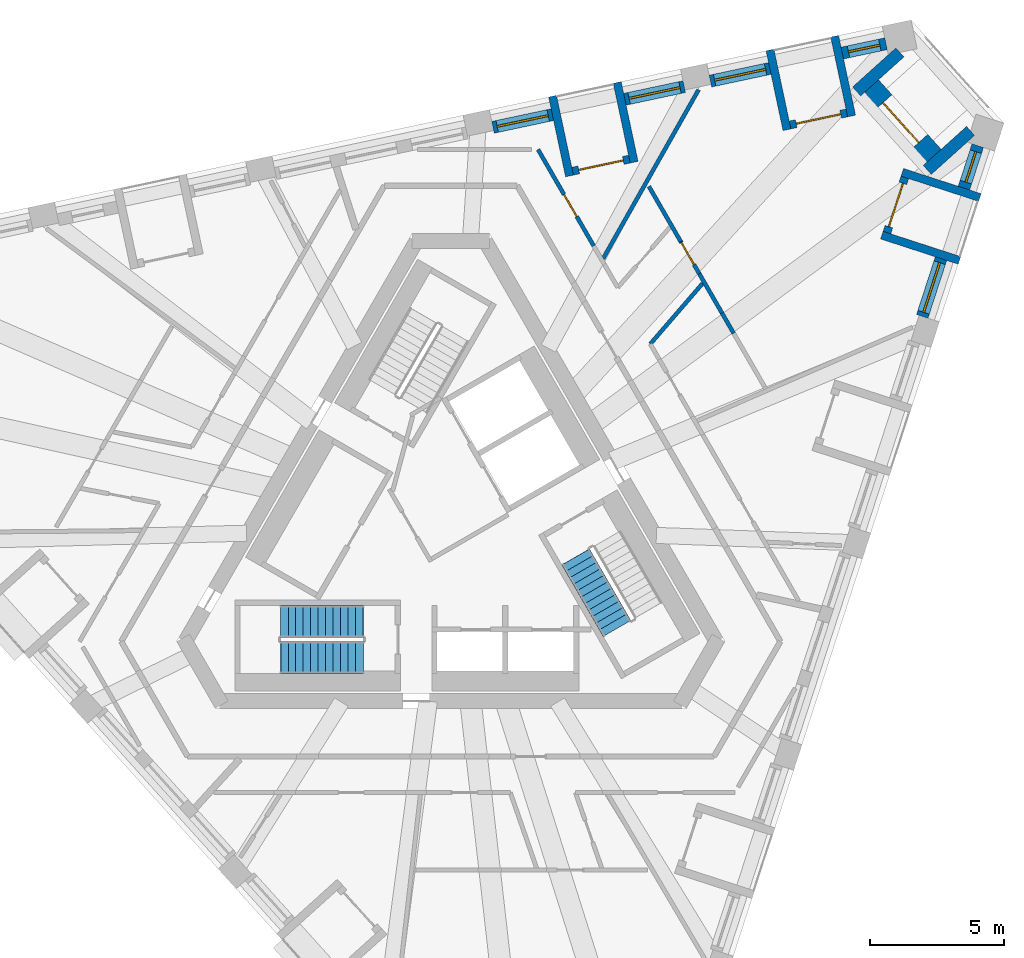
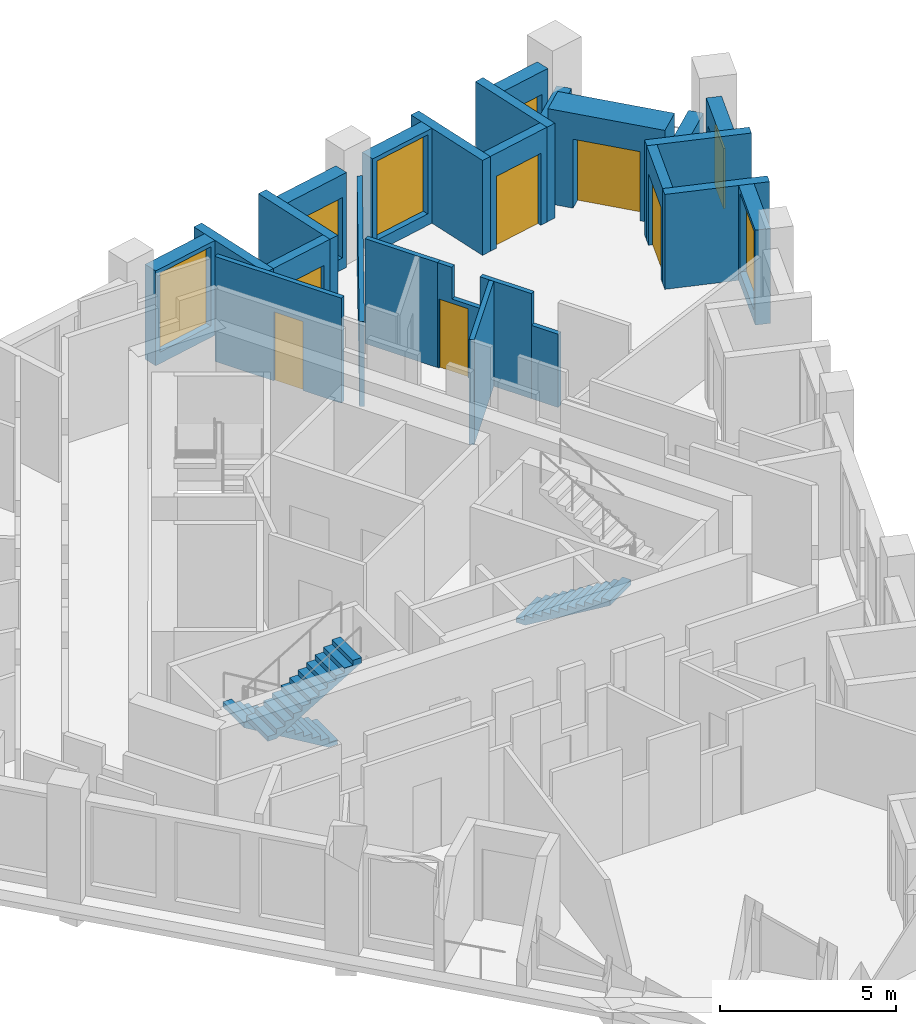
# One storey, part 8 of 13: 25 walls, 6 doors, 6 windows, 3 stair flights, 12 openings, 2 elements without a shape of their own.
"""IFC4 building model written with IfcOpenShell, lengths in metres."""

import ifcopenshell
import ifcopenshell.guid

model = None  # the IFC model being written
_history = None  # IfcOwnerHistory: only IFC2X3 demands one
_inside = {}  # id of a spatial element -> (the spatial element, [elements in it])
_under = {}  # id of a project, library or spatial element -> (it, [spatial elements below it])
_declared = {}  # id of a project -> (the project, [libraries it declares])
_typed = {}  # id of a type object -> (the type object, [elements of that type])
_made_of = {}  # id of a material, layer set ... -> (it, [elements and type objects made of it])


def new_model(schema):
    """Start an empty IFC model of exactly this schema.

    Asked for "IFC4X3", IfcOpenShell would pick the latest addendum, in which some entities
    have other attributes; the version numbers below select the first issue.
    IFC2X3 requires an IfcOwnerHistory on every rooted entity: one is made here for all.
    """
    global model, _history
    if schema == "IFC4X3":
        model = ifcopenshell.file(schema_version=(4, 3, 0, 0))
    else:
        model = ifcopenshell.file(schema=schema)
    _inside.clear()
    _under.clear()
    _declared.clear()
    _typed.clear()
    _made_of.clear()
    _history = None
    if model.schema == "IFC2X3":
        org = make("IfcOrganization", Name="unknown")
        user = make(
            "IfcPersonAndOrganization",
            ThePerson=make("IfcPerson", FamilyName="unknown"),
            TheOrganization=org,
        )
        app = make(
            "IfcApplication",
            ApplicationDeveloper=org,
            Version="unknown",
            ApplicationFullName="unknown",
            ApplicationIdentifier="unknown",
        )
        _history = make(
            "IfcOwnerHistory",
            OwningUser=user,
            OwningApplication=app,
            ChangeAction="ADDED",
            CreationDate=0,
        )
    return model


def make(cls, **values):
    """One entity of the class cls with the attributes given. An attribute that is None is left unset."""
    return model.create_entity(
        cls, **{name: value for name, value in values.items() if value is not None}
    )


def rooted(cls, **values):
    """An entity with a GlobalId (a new one), such as an element, a storey or a relation."""
    return make(cls, GlobalId=ifcopenshell.guid.new(), OwnerHistory=_history, **values)


def si_unit(unit_type, name, prefix=None):
    """IfcSIUnit, for example si_unit("LENGTHUNIT", "METRE", prefix="MILLI")."""
    return make("IfcSIUnit", UnitType=unit_type, Prefix=prefix, Name=name)


def assignment(units):
    """IfcUnitAssignment: the units of a project."""
    return None if units is None else make("IfcUnitAssignment", Units=units)


def point(xyz):
    """IfcCartesianPoint."""
    return None if xyz is None else make("IfcCartesianPoint", Coordinates=xyz)


def direction(xyz):
    """IfcDirection."""
    return None if xyz is None else make("IfcDirection", DirectionRatios=xyz)


def frame(location, z_axis=None, x_axis=None):
    """IfcAxis2Placement3D, a coordinate frame: its origin and axes. An axis left out is left unset."""
    return make(
        "IfcAxis2Placement3D",
        Location=point(location),
        Axis=direction(z_axis),
        RefDirection=direction(x_axis),
    )


def frame_2d(location, x_axis=None):
    """IfcAxis2Placement2D, a coordinate frame in the plane: its origin and x axis."""
    return make(
        "IfcAxis2Placement2D", Location=point(location), RefDirection=direction(x_axis)
    )


def origin():
    """The frame at (0, 0, 0) with its axes left unset."""
    return frame((0.0, 0.0, 0.0))


def place(relative_to, where):
    """IfcLocalPlacement: puts the frame where relative to a parent placement (None: the world)."""
    return make(
        "IfcLocalPlacement", PlacementRelTo=relative_to, RelativePlacement=where
    )


def context(
    kind, dimensions, precision=None, world=None, true_north=None, identifier=None
):
    """IfcGeometricRepresentationContext, for example the 3D "Model" context."""
    return make(
        "IfcGeometricRepresentationContext",
        ContextIdentifier=identifier,
        ContextType=kind,
        CoordinateSpaceDimension=dimensions,
        Precision=precision,
        WorldCoordinateSystem=world,
        TrueNorth=true_north,
    )


def subcontext(parent, identifier, kind, view, scale=None):
    """IfcGeometricRepresentationSubContext, for example "Body" below "Model"."""
    return make(
        "IfcGeometricRepresentationSubContext",
        ContextIdentifier=identifier,
        ContextType=kind,
        ParentContext=parent,
        TargetScale=scale,
        TargetView=view,
    )


def project(units=None, contexts=None):
    """IfcProject with its units and contexts."""
    return rooted(
        "IfcProject",
        Name="project",
        RepresentationContexts=contexts,
        UnitsInContext=assignment(units),
    )


def spatial(cls, under=None, at=None, **own):
    """A site, building, storey or space (cls), placed at a placement, below another one or the project."""
    s = rooted(cls, ObjectPlacement=at, **own)
    if under is not None:
        _under.setdefault(under.id(), (under, []))[1].append(s)
    return s


def polyline(points):
    """IfcPolyline through the points."""
    return make("IfcPolyline", Points=[point(p) for p in points])


def profile(cls, at=None, kind="AREA", **sizes):
    """A parametric profile (cls). Its sizes go by their IFC names, for example OverallWidth=200.0."""
    return make(cls, ProfileType=kind, Position=at, **sizes)


def rectangle(**sizes):
    """IfcRectangleProfileDef."""
    return profile("IfcRectangleProfileDef", **sizes)


def outline(outer, holes=None, kind="AREA"):
    """IfcArbitraryClosedProfileDef: a profile drawn as a closed curve; with holes, ...WithVoids."""
    if holes is None:
        return make("IfcArbitraryClosedProfileDef", ProfileType=kind, OuterCurve=outer)
    return make(
        "IfcArbitraryProfileDefWithVoids",
        ProfileType=kind,
        OuterCurve=outer,
        InnerCurves=holes,
    )


def extrude(swept, where, along, depth):
    """IfcExtrudedAreaSolid: the profile swept, set in the frame where, extruded along a direction by depth."""
    return make(
        "IfcExtrudedAreaSolid",
        SweptArea=swept,
        Position=where,
        ExtrudedDirection=direction(along),
        Depth=depth,
    )


def shape(context_of_items, identifier, shape_type, items):
    """IfcShapeRepresentation: the items that make up one representation, for example the "Body"."""
    return make(
        "IfcShapeRepresentation",
        ContextOfItems=context_of_items,
        RepresentationIdentifier=identifier,
        RepresentationType=shape_type,
        Items=items,
    )


def material(Name=None, Category=None):
    """IfcMaterial."""
    return make("IfcMaterial", Name=Name, Category=Category)


def layer(
    of_material, thickness, ventilated=None, Name=None, Category=None, Priority=None
):
    """IfcMaterialLayer: one layer of a wall or slab, of a material (None: an air gap)."""
    return make(
        "IfcMaterialLayer",
        Material=of_material,
        LayerThickness=thickness,
        IsVentilated=ventilated,
        Name=Name,
        Category=Category,
        Priority=Priority,
    )


def layer_set(layers, Name=None):
    """IfcMaterialLayerSet."""
    return make("IfcMaterialLayerSet", MaterialLayers=layers, LayerSetName=Name)


def made_of(thing, what):
    """Note that an element or type object is made of a material, layer set ...; save() writes the relation."""
    if what is not None:
        _made_of.setdefault(what.id(), (what, []))[1].append(thing)
    return thing


def type_object(cls, material=None, **own):
    """A type object (cls), such as IfcWallType, which elements share."""
    return made_of(rooted(cls, **own), material)


def element(
    cls,
    number,
    at=None,
    inside=None,
    cuts=None,
    type_object=None,
    material=None,
    context=None,
    identifier="Body",
    shape_type=None,
    held_by="IfcProductDefinitionShape",
    body=None,
    shapes=None,
    **own,
):
    """One element of the class cls, such as IfcWall. Its Tag is "e" and its number.

    at: its placement. inside: the storey or other place that contains it. cuts: it is an
    opening in that element (IfcRelVoidsElement). A single representation is given by context,
    identifier, shape_type and body (its items); several are given by shapes. held_by: the class
    of the entity that holds the representations. save() writes the other relations.
    """
    e = rooted(cls, Tag="e%d" % number, ObjectPlacement=at, **own)
    if body is not None:
        shapes = [shape(context, identifier, shape_type, body)]
    if shapes is not None:
        e.Representation = make(held_by, Representations=shapes)
    if inside is not None:
        _inside.setdefault(inside.id(), (inside, []))[1].append(e)
    if cuts is not None:
        rooted(
            "IfcRelVoidsElement", RelatingBuildingElement=cuts, RelatedOpeningElement=e
        )
    if type_object is not None:
        _typed.setdefault(type_object.id(), (type_object, []))[1].append(e)
    return made_of(e, material)


def fill(opening, filler):
    """IfcRelFillsElement: the door or window that sits in an opening."""
    return rooted(
        "IfcRelFillsElement",
        RelatingOpeningElement=opening,
        RelatedBuildingElement=filler,
    )


def aggregate(whole, parts):
    """IfcRelAggregates: a whole, such as a stair, and the parts it consists of."""
    return rooted("IfcRelAggregates", RelatingObject=whole, RelatedObjects=parts)


def save(model, path):
    """Write the relations noted so far, then the file.

    IfcRelAggregates (storeys below a building ...), IfcRelContainedInSpatialStructure (elements
    in a storey), IfcRelDefinesByType, IfcRelAssociatesMaterial and IfcRelDeclares: one each for
    every whole, place, type object, material and project.
    """
    for whole, parts in _under.values():
        aggregate(whole, parts)
    for where, things in _inside.values():
        rooted(
            "IfcRelContainedInSpatialStructure",
            RelatedElements=things,
            RelatingStructure=where,
        )
    for kind, things in _typed.values():
        rooted("IfcRelDefinesByType", RelatedObjects=things, RelatingType=kind)
    for what, things in _made_of.values():
        rooted("IfcRelAssociatesMaterial", RelatedObjects=things, RelatingMaterial=what)
    for by, libraries in _declared.values():
        rooted("IfcRelDeclares", RelatingContext=by, RelatedDefinitions=libraries)
    model.write(path)


model = new_model("IFC4")

# Units and contexts
model_context = context("Model", 3, precision=1e-05, world=origin(), true_north=direction((0.0, 1.0)))
body_context = subcontext(model_context, "Body", "Model", "MODEL_VIEW")
ifc_project = project(units=[si_unit("LENGTHUNIT", "METRE"), si_unit("AREAUNIT", "SQUARE_METRE"), si_unit("VOLUMEUNIT", "CUBIC_METRE"), si_unit("PLANEANGLEUNIT", "RADIAN"), si_unit("MASSUNIT", "GRAM", prefix="KILO")], contexts=[model_context])

# Site, building, storey
site_placement = place(None, origin())
site = spatial("IfcSite", under=ifc_project, at=site_placement, CompositionType="ELEMENT")
building_placement = place(site_placement, origin())
building = spatial("IfcBuilding", under=site, at=building_placement, Name="Tramontana Tower", CompositionType="ELEMENT")
storey_placement = place(building_placement, frame((0.0, 0.0, 324.39990234375)))
storey = spatial("IfcBuildingStorey", under=building, at=storey_placement, Name="L74", CompositionType="ELEMENT", Elevation=324.39990234375)

# Wall, opening, window
ifc_material_1 = material(Name="Precast concrete 60 MPa", Category="concrete")
ifc_layer_1 = layer(ifc_material_1, 0.449951171875)
ifc_layer_set_1 = layer_set([ifc_layer_1], Name="Precast concrete 60 MPa, 450 mm")
wall_type_1 = type_object("IfcWallType", Name="EW1 Stone-faced precast wall 450", PredefinedType="SOLIDWALL", material=ifc_layer_set_1)
wall_1_placement = place(storey_placement, frame((17.632080078125, 7.9091796875, 0.0), z_axis=(0.0, 0.0, 1.0), x_axis=(0.309027740273, 0.951053024674, 0.0)))
wall_1 = element("IfcWall", 1, at=wall_1_placement, inside=storey, type_object=wall_type_1, Name="External wall L74 face 1 bay 5", PredefinedType="SOLIDWALL", context=body_context, shape_type="SweptSolid", body=[
    extrude(rectangle(XDim=2.271240234375, YDim=0.449951171875, at=frame_2d((1.1357421875, 0.0))), origin(), (0.0, 0.0, 1.0), 3.300048828125),
])
opening_1_placement = place(wall_1_placement, frame((0.16064453125, 0.0, 0.39990234375)))
opening_1 = element("IfcOpeningElement", 2, at=opening_1_placement, cuts=wall_1, Name="Opening M3", PredefinedType="OPENING", context=body_context, shape_type="SweptSolid", body=[
    extrude(rectangle(XDim=1.949951171875, YDim=2.75, at=frame_2d((0.97509765625, 1.375))), frame((0.0, 0.23486328125, 0.0), z_axis=(0.0, -1.0, 0.0), x_axis=(1.0, 0.0, 0.0)), (0.0, 0.0, 1.0), 0.469970703125),
])
ifc_material_2 = material(Name="Aluminum frame, double glazing unit", Category="aluminium")
window_type_1 = type_object("IfcWindowType", Name="M3 Window 1.95 x 2.75", PartitioningType="SINGLE_PANEL", PredefinedType="WINDOW", material=ifc_material_2)
window_1_placement = place(opening_1_placement, origin())
window_1 = element("IfcWindow", 3, at=window_1_placement, inside=storey, type_object=window_type_1, Name="Window M3 L74 face 1 module 13", OverallHeight=2.75, OverallWidth=1.949951171875, PartitioningType="SINGLE_PANEL", PredefinedType="WINDOW", context=body_context, shape_type="SweptSolid", body=[
    extrude(rectangle(XDim=1.949951171875, YDim=2.75, at=frame_2d((0.97509765625, 1.375))), frame((0.0, 0.030029296875, 0.0), z_axis=(0.0, -1.0, 0.0), x_axis=(1.0, 0.0, 0.0)), (0.0, 0.0, 1.0), 0.06005859375),
])
fill(opening_1, window_1)

wall_2_placement = place(storey_placement, frame((19.1904296875, 12.705078125, 0.0), z_axis=(0.0, 0.0, 1.0), x_axis=(0.30898696848, 0.951066271776, 0.0)))
wall_2 = element("IfcWall", 4, at=wall_2_placement, inside=storey, type_object=wall_type_1, Name="External wall L74 face 1 bay 5", PredefinedType="SOLIDWALL", context=body_context, shape_type="SweptSolid", body=[
    extrude(rectangle(XDim=1.671142578125, YDim=0.449951171875, at=frame_2d((0.83544921875, 0.0))), origin(), (0.0, 0.0, 1.0), 3.300048828125),
])
opening_2_placement = place(wall_2_placement, frame((0.235595703125, 0.0, 0.39990234375)))
opening_2 = element("IfcOpeningElement", 5, at=opening_2_placement, cuts=wall_2, Name="Opening N3L", PredefinedType="OPENING", context=body_context, shape_type="SweptSolid", body=[
    extrude(rectangle(XDim=1.199951171875, YDim=2.10009765625, at=frame_2d((0.60009765625, 1.050048828125))), frame((0.0, 0.23486328125, 0.0), z_axis=(0.0, -1.0, 0.0), x_axis=(1.0, 0.0, 0.0)), (0.0, 0.0, 1.0), 0.469970703125),
])
ifc_material_3 = material(Name="Aluminum frame, double glazing unit", Category="aluminium")
window_type_2 = type_object("IfcWindowType", Name="N3L Window 1.2 x 2.1", PartitioningType="SINGLE_PANEL", PredefinedType="WINDOW", material=ifc_material_3)
window_2_placement = place(opening_2_placement, origin())
window_2 = element("IfcWindow", 6, at=window_2_placement, inside=storey, type_object=window_type_2, Name="Window N3L L74 face 1 module 15", OverallHeight=2.10009765625, OverallWidth=1.199951171875, PartitioningType="SINGLE_PANEL", PredefinedType="WINDOW", context=body_context, shape_type="SweptSolid", body=[
    extrude(rectangle(XDim=1.199951171875, YDim=2.10009765625, at=frame_2d((0.60009765625, 1.050048828125))), frame((0.0, 0.030029296875, 0.0), z_axis=(0.0, -1.0, 0.0), x_axis=(1.0, 0.0, 0.0)), (0.0, 0.0, 1.0), 0.06005859375),
])
fill(opening_2, window_2)

wall_3_placement = place(storey_placement, frame((16.276123046875, 18.104736328125, 0.0), z_axis=(0.0, 0.0, 1.0), x_axis=(-0.978126168783, -0.208012494676, 0.0)))
wall_3 = element("IfcWall", 7, at=wall_3_placement, inside=storey, type_object=wall_type_1, Name="External wall L74 face 2 bay 1", PredefinedType="SOLIDWALL", context=body_context, shape_type="SweptSolid", body=[
    extrude(rectangle(XDim=1.67138671875, YDim=0.449951171875, at=frame_2d((0.835693359375, 0.0))), origin(), (0.0, 0.0, 1.0), 3.300048828125),
])
opening_3_placement = place(wall_3_placement, frame((0.235595703125, 0.0, 0.39990234375)))
opening_3 = element("IfcOpeningElement", 8, at=opening_3_placement, cuts=wall_3, Name="Opening N3L", PredefinedType="OPENING", context=body_context, shape_type="SweptSolid", body=[
    extrude(rectangle(XDim=1.199951171875, YDim=2.10009765625, at=frame_2d((0.60009765625, 1.050048828125))), frame((0.0, 0.23486328125, 0.0), z_axis=(0.0, -1.0, 0.0), x_axis=(1.0, 0.0, 0.0)), (0.0, 0.0, 1.0), 0.469970703125),
])
window_3_placement = place(opening_3_placement, origin())
window_3 = element("IfcWindow", 9, at=window_3_placement, inside=storey, type_object=window_type_2, Name="Window N3L L74 face 2 module 1", OverallHeight=2.10009765625, OverallWidth=1.199951171875, PartitioningType="SINGLE_PANEL", PredefinedType="WINDOW", context=body_context, shape_type="SweptSolid", body=[
    extrude(rectangle(XDim=1.199951171875, YDim=2.10009765625, at=frame_2d((0.60009765625, 1.050048828125))), frame((0.0, 0.030029296875, 0.0), z_axis=(0.0, -1.0, 0.0), x_axis=(1.0, 0.0, 0.0)), (0.0, 0.0, 1.0), 0.06005859375),
])
fill(opening_3, window_3)

wall_4_placement = place(storey_placement, frame((11.9306640625, 17.180908203125, 0.0), z_axis=(0.0, 0.0, 1.0), x_axis=(-0.978153386925, -0.207884467067, 0.0)))
wall_4 = element("IfcWall", 10, at=wall_4_placement, inside=storey, type_object=wall_type_1, Name="External wall L74 face 2 bay 1", PredefinedType="SOLIDWALL", context=body_context, shape_type="SweptSolid", body=[
    extrude(rectangle(XDim=2.271240234375, YDim=0.449951171875, at=frame_2d((1.1357421875, 0.0))), origin(), (0.0, 0.0, 1.0), 3.300048828125),
])
opening_4_placement = place(wall_4_placement, frame((0.16064453125, 0.0, 0.39990234375)))
opening_4 = element("IfcOpeningElement", 11, at=opening_4_placement, cuts=wall_4, Name="Opening M3", PredefinedType="OPENING", context=body_context, shape_type="SweptSolid", body=[
    extrude(rectangle(XDim=1.949951171875, YDim=2.75, at=frame_2d((0.97509765625, 1.375))), frame((0.0, 0.23486328125, 0.0), z_axis=(0.0, -1.0, 0.0), x_axis=(1.0, 0.0, 0.0)), (0.0, 0.0, 1.0), 0.469970703125),
])
window_4_placement = place(opening_4_placement, origin())
window_4 = element("IfcWindow", 12, at=window_4_placement, inside=storey, type_object=window_type_1, Name="Window M3 L74 face 2 module 3", OverallHeight=2.75, OverallWidth=1.949951171875, PartitioningType="SINGLE_PANEL", PredefinedType="WINDOW", context=body_context, shape_type="SweptSolid", body=[
    extrude(rectangle(XDim=1.949951171875, YDim=2.75, at=frame_2d((0.97509765625, 1.375))), frame((0.0, 0.030029296875, 0.0), z_axis=(0.0, -1.0, 0.0), x_axis=(1.0, 0.0, 0.0)), (0.0, 0.0, 1.0), 0.06005859375),
])
fill(opening_4, window_4)

wall_5_placement = place(storey_placement, frame((8.73095703125, 16.500732421875, 0.0), z_axis=(0.0, 0.0, 1.0), x_axis=(-0.978153386925, -0.207884467067, 0.0)))
wall_5 = element("IfcWall", 13, at=wall_5_placement, inside=storey, type_object=wall_type_1, Name="External wall L74 face 2 bay 2", PredefinedType="SOLIDWALL", context=body_context, shape_type="SweptSolid", body=[
    extrude(rectangle(XDim=2.271240234375, YDim=0.449951171875, at=frame_2d((1.1357421875, 0.0))), origin(), (0.0, 0.0, 1.0), 3.300048828125),
])
opening_5_placement = place(wall_5_placement, frame((0.16064453125, 0.0, 0.39990234375)))
opening_5 = element("IfcOpeningElement", 14, at=opening_5_placement, cuts=wall_5, Name="Opening M3L", PredefinedType="OPENING", context=body_context, shape_type="SweptSolid", body=[
    extrude(rectangle(XDim=1.949951171875, YDim=2.10009765625, at=frame_2d((0.97509765625, 1.050048828125))), frame((0.0, 0.23486328125, 0.0), z_axis=(0.0, -1.0, 0.0), x_axis=(1.0, 0.0, 0.0)), (0.0, 0.0, 1.0), 0.469970703125),
])
ifc_material_4 = material(Name="Aluminum frame, double glazing unit", Category="aluminium")
window_type_3 = type_object("IfcWindowType", Name="M3L Window 1.95 x 2.1", PartitioningType="SINGLE_PANEL", PredefinedType="WINDOW", material=ifc_material_4)
window_5_placement = place(opening_5_placement, origin())
window_5 = element("IfcWindow", 15, at=window_5_placement, inside=storey, type_object=window_type_3, Name="Window M3L L74 face 2 module 4", OverallHeight=2.10009765625, OverallWidth=1.949951171875, PartitioningType="SINGLE_PANEL", PredefinedType="WINDOW", context=body_context, shape_type="SweptSolid", body=[
    extrude(rectangle(XDim=1.949951171875, YDim=2.10009765625, at=frame_2d((0.97509765625, 1.050048828125))), frame((0.0, 0.030029296875, 0.0), z_axis=(0.0, -1.0, 0.0), x_axis=(1.0, 0.0, 0.0)), (0.0, 0.0, 1.0), 0.06005859375),
])
fill(opening_5, window_5)

wall_6_placement = place(storey_placement, frame((3.798583984375, 15.452392578125, 0.0), z_axis=(0.0, 0.0, 1.0), x_axis=(-0.978153386925, -0.207884467067, 0.0)))
wall_6 = element("IfcWall", 16, at=wall_6_placement, inside=storey, type_object=wall_type_1, Name="External wall L74 face 2 bay 2", PredefinedType="SOLIDWALL", context=body_context, shape_type="SweptSolid", body=[
    extrude(rectangle(XDim=2.271240234375, YDim=0.449951171875, at=frame_2d((1.1357421875, 0.0))), origin(), (0.0, 0.0, 1.0), 3.300048828125),
])
opening_6_placement = place(wall_6_placement, frame((0.16064453125, 0.0, 0.39990234375)))
opening_6 = element("IfcOpeningElement", 17, at=opening_6_placement, cuts=wall_6, Name="Opening M3", PredefinedType="OPENING", context=body_context, shape_type="SweptSolid", body=[
    extrude(rectangle(XDim=1.949951171875, YDim=2.75, at=frame_2d((0.97509765625, 1.375))), frame((0.0, 0.23486328125, 0.0), z_axis=(0.0, -1.0, 0.0), x_axis=(1.0, 0.0, 0.0)), (0.0, 0.0, 1.0), 0.469970703125),
])
window_6_placement = place(opening_6_placement, origin())
window_6 = element("IfcWindow", 18, at=window_6_placement, inside=storey, type_object=window_type_1, Name="Window M3 L74 face 2 module 6", OverallHeight=2.75, OverallWidth=1.949951171875, PartitioningType="SINGLE_PANEL", PredefinedType="WINDOW", context=body_context, shape_type="SweptSolid", body=[
    extrude(rectangle(XDim=1.949951171875, YDim=2.75, at=frame_2d((0.97509765625, 1.375))), frame((0.0, 0.030029296875, 0.0), z_axis=(0.0, -1.0, 0.0), x_axis=(1.0, 0.0, 0.0)), (0.0, 0.0, 1.0), 0.06005859375),
])
fill(opening_6, window_6)

# Walls
wall_7_placement = place(storey_placement, frame((16.795654296875, 17.780517578125, 0.0), z_axis=(0.0, 0.0, 1.0), x_axis=(-0.743165997662, -0.669107091518, 0.0)))
element("IfcWall", 19, at=wall_7_placement, inside=storey, type_object=wall_type_1, Name="Corner loggia side wall L74 K82l", PredefinedType="SOLIDWALL", context=body_context, shape_type="SweptSolid", body=[
    extrude(rectangle(XDim=2.178955078125, YDim=0.449951171875, at=frame_2d((1.08935546875, 0.0))), origin(), (0.0, 0.0, 1.0), 2.550048828125),
])
wall_8_placement = place(storey_placement, frame((19.438720703125, 14.84521484375, 0.0), z_axis=(0.0, 0.0, 1.0), x_axis=(-0.743110286166, -0.669168964159, 0.0)))
element("IfcWall", 20, at=wall_8_placement, inside=storey, type_object=wall_type_1, Name="Corner loggia side wall L74 K82r", PredefinedType="SOLIDWALL", context=body_context, shape_type="SweptSolid", body=[
    extrude(rectangle(XDim=2.17919921875, YDim=0.449951171875, at=frame_2d((1.089599609375, 0.0))), origin(), (0.0, 0.0, 1.0), 2.550048828125),
])

# Wall, opening, door
ifc_material_5 = material(Name="Precast concrete 60 MPa", Category="concrete")
ifc_layer_2 = layer(ifc_material_5, 0.89990234375)
ifc_layer_set_2 = layer_set([ifc_layer_2], Name="EW2 Stone-faced corner loggia wall 900")
wall_type_2 = type_object("IfcWallType", Name="EW2 Stone-faced corner loggia wall 900", PredefinedType="SOLIDWALL", material=ifc_layer_set_2)
wall_9_placement = place(storey_placement, frame((15.6611328125, 16.456298828125, 0.0), z_axis=(0.0, 0.0, 1.0), x_axis=(0.669134277936, -0.743141519559, 0.0)))
wall_9 = element("IfcWall", 21, at=wall_9_placement, inside=storey, type_object=wall_type_2, Name="Corner loggia wall L74 K82", PredefinedType="SOLIDWALL", context=body_context, shape_type="SweptSolid", body=[
    extrude(rectangle(XDim=3.5, YDim=0.89990234375, at=frame_2d((1.75, 0.0))), origin(), (0.0, 0.0, 1.0), 3.300048828125),
])
opening_7_placement = place(wall_9_placement, frame((0.75, 0.0, 0.0)))
opening_7 = element("IfcOpeningElement", 22, at=opening_7_placement, cuts=wall_9, Name="Opening BD-82C", PredefinedType="OPENING", context=body_context, shape_type="SweptSolid", body=[
    extrude(rectangle(XDim=2.0, YDim=2.39990234375, at=frame_2d((1.0, 1.199951171875))), frame((0.0, 0.4599609375, 0.0), z_axis=(0.0, -1.0, 0.0), x_axis=(1.0, 0.0, 0.0)), (0.0, 0.0, 1.0), 0.919921875),
])
ifc_material_6 = material(Name="Aluminum frame, double glazing unit", Category="aluminium")
door_type_1 = type_object("IfcDoorType", Name="BC1 Sliding door 2 x 2.4", OperationType="SLIDING_TO_LEFT", PredefinedType="DOOR", material=ifc_material_6)
door_1_placement = place(opening_7_placement, origin())
door_1 = element("IfcDoor", 23, at=door_1_placement, inside=storey, type_object=door_type_1, Name="Corner loggia door L74 K82", OperationType="SLIDING_TO_LEFT", OverallHeight=2.39990234375, OverallWidth=2.0, PredefinedType="DOOR", context=body_context, shape_type="SweptSolid", body=[
    extrude(rectangle(XDim=2.0, YDim=2.39990234375, at=frame_2d((1.0, 1.199951171875))), frame((0.0, 0.02490234375, 0.0), z_axis=(0.0, -1.0, 0.0), x_axis=(1.0, 0.0, 0.0)), (0.0, 0.0, 1.0), 0.050048828125),
])
fill(opening_7, door_1)

ifc_material_7 = material(Name="Precast concrete 60 MPa", Category="concrete")
ifc_layer_3 = layer(ifc_material_7, 0.300048828125)
ifc_layer_set_3 = layer_set([ifc_layer_3], Name="LW1 Stone-faced loggia wall 300")
wall_type_3 = type_object("IfcWallType", Name="LW1 Stone-faced loggia wall 300", PredefinedType="SOLIDWALL", material=ifc_layer_set_3)
wall_10_placement = place(storey_placement, frame((16.310546875, 11.042236328125, 0.0), z_axis=(0.0, 0.0, 1.0), x_axis=(0.308999623589, 0.95106216023, 0.0)))
wall_10 = element("IfcWall", 24, at=wall_10_placement, inside=storey, type_object=wall_type_3, Name="Loggia wall L74 G8S1.13", PredefinedType="SOLIDWALL", context=body_context, shape_type="SweptSolid", body=[
    extrude(rectangle(XDim=2.171142578125, YDim=0.300048828125, at=frame_2d((1.08544921875, 0.0))), origin(), (0.0, 0.0, 1.0), 3.300048828125),
])
opening_8_placement = place(wall_10_placement, frame((0.235595703125, 0.0, 0.0)))
opening_8 = element("IfcOpeningElement", 25, at=opening_8_placement, cuts=wall_10, Name="Opening BD-8S1-13", PredefinedType="OPENING", context=body_context, shape_type="SweptSolid", body=[
    extrude(rectangle(XDim=1.699951171875, YDim=2.5, at=frame_2d((0.85009765625, 1.25))), frame((0.0, 0.159912109375, 0.0), z_axis=(0.0, -1.0, 0.0), x_axis=(1.0, 0.0, 0.0)), (0.0, 0.0, 1.0), 0.320068359375),
])
ifc_material_8 = material(Name="Aluminum frame, double glazing unit", Category="aluminium")
door_type_2 = type_object("IfcDoorType", Name="BD3 Sliding door 1.7 x 2.5", OperationType="SLIDING_TO_LEFT", PredefinedType="DOOR", material=ifc_material_8)
door_2_placement = place(opening_8_placement, origin())
door_2 = element("IfcDoor", 26, at=door_2_placement, inside=storey, type_object=door_type_2, Name="Loggia door L74 G8S1.13", OperationType="SLIDING_TO_LEFT", OverallHeight=2.5, OverallWidth=1.699951171875, PredefinedType="DOOR", context=body_context, shape_type="SweptSolid", body=[
    extrude(rectangle(XDim=1.699951171875, YDim=2.5, at=frame_2d((0.85009765625, 1.25))), frame((0.0, 0.02490234375, 0.0), z_axis=(0.0, -1.0, 0.0), x_axis=(1.0, 0.0, 0.0)), (0.0, 0.0, 1.0), 0.050048828125),
])
fill(opening_8, door_2)

# Walls
for number, where, z_axis, x_axis, name in (
    (27, (19.022216796875, 10.00341796875, 0.0), (0.0, 0.0, 1.0), (-0.951041715693, 0.309062542235, 0.0), "Loggia return L74 G8S1.13a"),
    (28, (19.785888671875, 12.353759765625, 0.0), (0.0, 0.0, 1.0), (-0.951041715693, 0.309062542235, 0.0), "Loggia return L74 G8S1.13b"),
):
    element("IfcWall", number, at=place(storey_placement, frame(where, z_axis=z_axis, x_axis=x_axis)), inside=storey, type_object=wall_type_3, Name=name, PredefinedType="SOLIDWALL", context=body_context, shape_type="SweptSolid", body=[
        extrude(rectangle(XDim=3.050048828125, YDim=0.300048828125, at=frame_2d((1.52490234375, 0.0))), origin(), (0.0, 0.0, 1.0), 3.300048828125),
    ])

# Wall, opening, door
wall_11_placement = place(storey_placement, frame((14.810546875, 15.518310546875, 0.0), z_axis=(0.0, 0.0, 1.0), x_axis=(-0.978148276005, -0.207908513891, 0.0)))
wall_11 = element("IfcWall", 29, at=wall_11_placement, inside=storey, type_object=wall_type_3, Name="Loggia wall L74 G8S2.1", PredefinedType="SOLIDWALL", context=body_context, shape_type="SweptSolid", body=[
    extrude(rectangle(XDim=2.171142578125, YDim=0.300048828125, at=frame_2d((1.08544921875, 0.0))), origin(), (0.0, 0.0, 1.0), 3.300048828125),
])
opening_9_placement = place(wall_11_placement, frame((0.235595703125, 0.0, 0.0)))
opening_9 = element("IfcOpeningElement", 30, at=opening_9_placement, cuts=wall_11, Name="Opening BD-8S2-01", PredefinedType="OPENING", context=body_context, shape_type="SweptSolid", body=[
    extrude(rectangle(XDim=1.699951171875, YDim=2.5, at=frame_2d((0.85009765625, 1.25))), frame((0.0, 0.159912109375, 0.0), z_axis=(0.0, -1.0, 0.0), x_axis=(1.0, 0.0, 0.0)), (0.0, 0.0, 1.0), 0.320068359375),
])
door_3_placement = place(opening_9_placement, origin())
door_3 = element("IfcDoor", 31, at=door_3_placement, inside=storey, type_object=door_type_2, Name="Loggia door L74 G8S2.1", OperationType="SLIDING_TO_LEFT", OverallHeight=2.5, OverallWidth=1.699951171875, PredefinedType="DOOR", context=body_context, shape_type="SweptSolid", body=[
    extrude(rectangle(XDim=1.699951171875, YDim=2.5, at=frame_2d((0.85009765625, 1.25))), frame((0.0, 0.02490234375, 0.0), z_axis=(0.0, -1.0, 0.0), x_axis=(1.0, 0.0, 0.0)), (0.0, 0.0, 1.0), 0.050048828125),
])
fill(opening_9, door_3)

# Walls
wall_12_placement = place(storey_placement, frame((14.354248046875, 18.38623046875, 0.0), z_axis=(0.0, 0.0, 1.0), x_axis=(0.207954487003, -0.978138503145, 0.0)))
element("IfcWall", 32, at=wall_12_placement, inside=storey, type_object=wall_type_3, Name="Loggia return L74 G8S2.1a", PredefinedType="SOLIDWALL", context=body_context, shape_type="SweptSolid", body=[
    extrude(rectangle(XDim=3.050048828125, YDim=0.300048828125, at=frame_2d((1.52490234375, 0.0))), origin(), (0.0, 0.0, 1.0), 3.300048828125),
])
wall_13_placement = place(storey_placement, frame((11.93701171875, 17.872314453125, 0.0), z_axis=(0.0, 0.0, 1.0), x_axis=(0.207894179953, -0.978151322619, 0.0)))
element("IfcWall", 33, at=wall_13_placement, inside=storey, type_object=wall_type_3, Name="Loggia return L74 G8S2.1b", PredefinedType="SOLIDWALL", context=body_context, shape_type="SweptSolid", body=[
    extrude(rectangle(XDim=3.0498046875, YDim=0.300048828125, at=frame_2d((1.52490234375, 0.0))), origin(), (0.0, 0.0, 1.0), 3.300048828125),
])

# Wall, opening, door
wall_14_placement = place(storey_placement, frame((6.678466796875, 13.789794921875, 0.0), z_axis=(0.0, 0.0, 1.0), x_axis=(-0.978153135692, -0.207885649183, 0.0)))
wall_14 = element("IfcWall", 34, at=wall_14_placement, inside=storey, type_object=wall_type_3, Name="Loggia wall L74 G8S2.4", PredefinedType="SOLIDWALL", context=body_context, shape_type="SweptSolid", body=[
    extrude(rectangle(XDim=2.17138671875, YDim=0.300048828125, at=frame_2d((1.085693359375, 0.0))), origin(), (0.0, 0.0, 1.0), 3.300048828125),
])
opening_10_placement = place(wall_14_placement, frame((0.235595703125, 0.0, 0.0)))
opening_10 = element("IfcOpeningElement", 35, at=opening_10_placement, cuts=wall_14, Name="Opening BD-8S2-04", PredefinedType="OPENING", context=body_context, shape_type="SweptSolid", body=[
    extrude(rectangle(XDim=1.699951171875, YDim=2.5, at=frame_2d((0.85009765625, 1.25))), frame((0.0, 0.159912109375, 0.0), z_axis=(0.0, -1.0, 0.0), x_axis=(1.0, 0.0, 0.0)), (0.0, 0.0, 1.0), 0.320068359375),
])
door_4_placement = place(opening_10_placement, origin())
door_4 = element("IfcDoor", 36, at=door_4_placement, inside=storey, type_object=door_type_2, Name="Loggia door L74 G8S2.4", OperationType="SLIDING_TO_LEFT", OverallHeight=2.5, OverallWidth=1.699951171875, PredefinedType="DOOR", context=body_context, shape_type="SweptSolid", body=[
    extrude(rectangle(XDim=1.699951171875, YDim=2.5, at=frame_2d((0.85009765625, 1.25))), frame((0.0, 0.02490234375, 0.0), z_axis=(0.0, -1.0, 0.0), x_axis=(1.0, 0.0, 0.0)), (0.0, 0.0, 1.0), 0.050048828125),
])
fill(opening_10, door_4)

# Walls
for number, where, z_axis, x_axis, name in (
    (37, (6.22216796875, 16.65771484375, 0.0), (0.0, 0.0, 1.0), (0.207877902534, -0.978154782045, 0.0), "Loggia return L74 G8S2.4a"),
    (38, (3.804931640625, 16.143798828125, 0.0), (0.0, 0.0, 1.0), (0.207877902534, -0.978154782045, 0.0), "Loggia return L74 G8S2.4b"),
):
    element("IfcWall", number, at=place(storey_placement, frame(where, z_axis=z_axis, x_axis=x_axis)), inside=storey, type_object=wall_type_3, Name=name, PredefinedType="SOLIDWALL", context=body_context, shape_type="SweptSolid", body=[
        extrude(rectangle(XDim=3.050048828125, YDim=0.300048828125, at=frame_2d((1.52490234375, 0.0))), origin(), (0.0, 0.0, 1.0), 3.300048828125),
    ])

# Wall, opening, door
ifc_material_9 = material(Name="Gypsum board partition")
ifc_layer_4 = layer(ifc_material_9, 0.14990234375)
ifc_layer_set_4 = layer_set([ifc_layer_4], Name="PARTITION 150")
wall_type_4 = type_object("IfcWallType", Name="PARTITION 150", PredefinedType="PARTITIONING", material=ifc_layer_set_4)
wall_15_placement = place(storey_placement, frame((3.261962890625, 14.14990234375, 0.0), z_axis=(0.0, 0.0, 1.0), x_axis=(0.500032238466, -0.866006790097, 0.0)))
wall_15 = element("IfcWall", 39, at=wall_15_placement, inside=storey, type_object=wall_type_4, Name="Wall v80-pw18-0", PredefinedType="PARTITIONING", context=body_context, shape_type="SweptSolid", body=[
    extrude(rectangle(XDim=4.161376953125, YDim=0.14990234375, at=frame_2d((2.08056640625, 0.0))), origin(), (0.0, 0.0, 1.0), 3.650146484375),
])
opening_11_placement = place(wall_15_placement, frame((1.94140625, 0.0, 0.0)))
opening_11 = element("IfcOpeningElement", 40, at=opening_11_placement, cuts=wall_15, Name="Opening B8A-17", PredefinedType="OPENING", context=body_context, shape_type="SweptSolid", body=[
    extrude(rectangle(XDim=0.949951171875, YDim=2.39990234375, at=frame_2d((0.47509765625, 1.199951171875))), frame((0.0, 0.0849609375, 0.0), z_axis=(0.0, -1.0, 0.0), x_axis=(1.0, 0.0, 0.0)), (0.0, 0.0, 1.0), 0.169921875),
])
ifc_material_10 = material(Name="Painted timber", Category="wood")
door_type_3 = type_object("IfcDoorType", Name="DOOR ROOM 950", OperationType="SINGLE_SWING_LEFT", PredefinedType="DOOR", material=ifc_material_10)
door_5_placement = place(opening_11_placement, origin())
door_5 = element("IfcDoor", 41, at=door_5_placement, inside=storey, type_object=door_type_3, Name="Door B8A-17", OperationType="SINGLE_SWING_LEFT", OverallHeight=2.39990234375, OverallWidth=0.949951171875, PredefinedType="DOOR", context=body_context, shape_type="SweptSolid", body=[
    extrude(rectangle(XDim=0.949951171875, YDim=2.39990234375, at=frame_2d((0.47509765625, 1.199951171875))), frame((0.0, 0.02490234375, 0.0), z_axis=(0.0, -1.0, 0.0), x_axis=(1.0, 0.0, 0.0)), (0.0, 0.0, 1.0), 0.050048828125),
])
fill(opening_11, door_5)

# Walls
wall_16_placement = place(storey_placement, frame((5.69970703125, 10.077880859375, 0.0), z_axis=(0.0, 0.0, 1.0), x_axis=(0.492280407927, 0.870436672005, 0.0)))
element("IfcWall", 42, at=wall_16_placement, inside=storey, type_object=wall_type_4, Name="Wall v80-pw20-0", PredefinedType="PARTITIONING", context=body_context, shape_type="SweptSolid", body=[
    extrude(rectangle(XDim=7.24560546875, YDim=0.14990234375, at=frame_2d((3.622802734375, 0.0))), origin(), (0.0, 0.0, 1.0), 2.9501953125),
])
wall_17_placement = place(storey_placement, frame((7.4072265625, 12.7705078125, 0.0), z_axis=(0.0, 0.0, 1.0), x_axis=(0.499968171535, -0.866043779177, 0.0)))
element("IfcWall", 43, at=wall_17_placement, inside=storey, type_object=wall_type_4, Name="Wall v80-pw24-0", PredefinedType="PARTITIONING", context=body_context, shape_type="SweptSolid", body=[
    extrude(rectangle(XDim=2.379638671875, YDim=0.14990234375, at=frame_2d((1.18994140625, 0.0))), origin(), (0.0, 0.0, 1.0), 3.650146484375),
])

# Wall, opening, door
wall_18_placement = place(storey_placement, frame((8.596923828125, 10.709716796875, 0.0), z_axis=(0.0, 0.0, 1.0), x_axis=(0.499950230578, -0.866054136267, 0.0)))
wall_18 = element("IfcWall", 44, at=wall_18_placement, inside=storey, type_object=wall_type_4, Name="Wall v80-pw24-1", PredefinedType="PARTITIONING", context=body_context, shape_type="SweptSolid", body=[
    extrude(outline(polyline([(0.0, 0.0), (1.391845703125, 0.0), (1.3916015625, 2.550048828125), (0.47412109375, 2.550048828125), (0.47412109375, 3.650146484375), (0.0, 3.650146484375), (0.0, 0.0)])), frame((0.0, 0.074951171875, 0.0), z_axis=(0.0, -1.0, 0.0), x_axis=(1.0, 0.0, 0.0)), (0.0, 0.0, 1.0), 0.14990234375),
])
opening_12_placement = place(wall_18_placement, frame((0.050048828125, 0.0, 0.0)))
opening_12 = element("IfcOpeningElement", 45, at=opening_12_placement, cuts=wall_18, Name="Opening B8A-15", PredefinedType="OPENING", context=body_context, shape_type="SweptSolid", body=[
    extrude(rectangle(XDim=0.949951171875, YDim=2.39990234375, at=frame_2d((0.47509765625, 1.199951171875))), frame((0.0, 0.0849609375, 0.0), z_axis=(0.0, -1.0, 0.0), x_axis=(1.0, 0.0, 0.0)), (0.0, 0.0, 1.0), 0.169921875),
])
door_6_placement = place(opening_12_placement, origin())
door_6 = element("IfcDoor", 46, at=door_6_placement, inside=storey, type_object=door_type_3, Name="Door B8A-15", OperationType="SINGLE_SWING_LEFT", OverallHeight=2.39990234375, OverallWidth=0.949951171875, PredefinedType="DOOR", context=body_context, shape_type="SweptSolid", body=[
    extrude(rectangle(XDim=0.949951171875, YDim=2.39990234375, at=frame_2d((0.47509765625, 1.199951171875))), frame((0.0, 0.02490234375, 0.0), z_axis=(0.0, -1.0, 0.0), x_axis=(1.0, 0.0, 0.0)), (0.0, 0.0, 1.0), 0.050048828125),
])
fill(opening_12, door_6)

# Walls
wall_19_placement = place(storey_placement, frame((9.292724609375, 9.50439453125, 0.0), z_axis=(0.0, 0.0, 1.0), x_axis=(0.500046963369, -0.865998287773, 0.0)))
element("IfcWall", 47, at=wall_19_placement, inside=storey, type_object=wall_type_4, Name="Wall v80-pw24-2", PredefinedType="PARTITIONING", context=body_context, shape_type="SweptSolid", body=[
    extrude(rectangle(XDim=1.693115234375, YDim=0.14990234375, at=frame_2d((0.8466796875, 0.0))), origin(), (0.0, 0.0, 1.0), 3.650146484375),
])
wall_20_placement = place(storey_placement, frame((10.139404296875, 8.0380859375, 0.0), z_axis=(0.0, 0.0, 1.0), x_axis=(0.499866452165, -0.866102493935, 0.0)))
element("IfcWall", 48, at=wall_20_placement, inside=storey, type_object=wall_type_4, Name="Wall v80-pw24-3", PredefinedType="PARTITIONING", context=body_context, shape_type="SweptSolid", body=[
    extrude(rectangle(XDim=0.880615234375, YDim=0.14990234375, at=frame_2d((0.4404296875, 0.0))), origin(), (0.0, 0.0, 1.0), 2.550048828125),
])
wall_21_placement = place(storey_placement, frame((9.416015625, 9.140869140625, 0.0), z_axis=(0.0, 0.0, 1.0), x_axis=(-0.653726199584, -0.756731164931, 0.0)))
element("IfcWall", 49, at=wall_21_placement, inside=storey, type_object=wall_type_4, Name="Wall v80-pw26", PredefinedType="PARTITIONING", context=body_context, shape_type="SweptSolid", body=[
    extrude(rectangle(XDim=2.98876953125, YDim=0.14990234375, at=frame_2d((1.494384765625, 0.0))), origin(), (0.0, 0.0, 1.0), 3.650146484375),
])

# Stair, stair flights
ifc_material_11 = material(Name="Concrete 40 MPa", Category="concrete")
stair_type = type_object("IfcStairType", Name="EXIT STAIR 24 RISERS", PredefinedType="HALF_TURN_STAIR", material=ifc_material_11)
stair_1_placement = place(storey_placement, origin())
stair_1 = element("IfcStair", 50, at=stair_1_placement, inside=storey, type_object=stair_type, Name="L74 Exit stair ST2", PredefinedType="HALF_TURN_STAIR")
ifc_material_12 = material(Name="Concrete 40 MPa", Category="concrete")
ifc_layer_5 = layer(ifc_material_12, 0.14990234375)
ifc_layer_set_5 = layer_set([ifc_layer_5], Name="EXIT STAIR FLIGHT")
stair_flight_type = type_object("IfcStairFlightType", Name="EXIT STAIR FLIGHT", PredefinedType="STRAIGHT", material=ifc_layer_set_5)
stair_flight_1_placement = place(storey_placement, frame((-3.280029296875, -3.5, 0.0), z_axis=(0.0, 0.0, 1.0), x_axis=(-1.0, 0.0, 0.0)))
stair_flight_1 = element("IfcStairFlight", 51, at=stair_flight_1_placement, type_object=stair_flight_type, Name="ST2 flight 1", NumberOfRisers=12, NumberOfTreads=11, PredefinedType="STRAIGHT", RiserHeight=0.166666667, TreadLength=0.28, context=body_context, shape_type="SweptSolid", body=[
    extrude(outline(polyline([(-0.006103515625, 0.0), (-0.006103515625, 0.0400390625), (0.0, 0.0400390625), (0.0, 0.166748046875), (0.280029296875, 0.166748046875), (0.280029296875, 0.333251953125), (0.56005859375, 0.333251953125), (0.56005859375, 0.5), (0.840087890625, 0.5), (0.840087890625, 0.666748046875), (1.1201171875, 0.666748046875), (1.1201171875, 0.833251953125), (1.39990234375, 0.833251953125), (1.39990234375, 1.0), (1.679931640625, 1.0), (1.679931640625, 1.166748046875), (1.9599609375, 1.166748046875), (1.9599609375, 1.333251953125), (2.239990234375, 1.333251953125), (2.239990234375, 1.5), (2.52001953125, 1.5), (2.52001953125, 1.666748046875), (2.800048828125, 1.666748046875), (2.800048828125, 1.833251953125), (3.080078125, 1.833251953125), (3.0859375, 1.833251953125), (3.0859375, 1.658935546875), (0.299072265625, 0.0), (-0.006103515625, 0.0)])), frame((0.0, 0.60009765625, 0.0), z_axis=(0.0, -1.0, 0.0), x_axis=(1.0, 0.0, 0.0)), (0.0, 0.0, 1.0), 1.199951171875),
])
stair_flight_2_placement = place(storey_placement, frame((-6.360107421875, -4.85009765625, 2.0), z_axis=(0.0, 0.0, 1.0), x_axis=(1.0, 0.0, 0.0)))
stair_flight_2 = element("IfcStairFlight", 52, at=stair_flight_2_placement, type_object=stair_flight_type, Name="ST2 flight 2", NumberOfRisers=12, NumberOfTreads=11, PredefinedType="STRAIGHT", RiserHeight=0.166666667, TreadLength=0.28, context=body_context, shape_type="SweptSolid", body=[
    extrude(outline(polyline([(-0.006103515625, 0.0), (-0.006103515625, 0.0400390625), (0.0, 0.0400390625), (0.0, 0.166748046875), (0.280029296875, 0.166748046875), (0.280029296875, 0.333251953125), (0.56005859375, 0.333251953125), (0.56005859375, 0.5), (0.840087890625, 0.5), (0.840087890625, 0.666748046875), (1.1201171875, 0.666748046875), (1.1201171875, 0.833251953125), (1.39990234375, 0.833251953125), (1.39990234375, 1.0), (1.679931640625, 1.0), (1.679931640625, 1.166748046875), (1.9599609375, 1.166748046875), (1.9599609375, 1.333251953125), (2.239990234375, 1.333251953125), (2.239990234375, 1.5), (2.52001953125, 1.5), (2.52001953125, 1.666748046875), (2.800048828125, 1.666748046875), (2.800048828125, 1.833251953125), (3.080078125, 1.833251953125), (3.0859375, 1.833251953125), (3.0859375, 1.658935546875), (0.299072265625, 0.0), (-0.006103515625, 0.0)])), frame((0.0, 0.60009765625, 0.0), z_axis=(0.0, -1.0, 0.0), x_axis=(1.0, 0.0, 0.0)), (0.0, 0.0, 1.0), 1.199951171875),
])
aggregate(stair_1, [stair_flight_1, stair_flight_2])

# Stair, stair flight
stair_2_placement = place(storey_placement, origin())
stair_2 = element("IfcStair", 53, at=stair_2_placement, inside=storey, type_object=stair_type, Name="L74 Exit stair ST3", PredefinedType="HALF_TURN_STAIR")
stair_flight_3_placement = place(storey_placement, frame((4.671142578125, -1.090576171875, 0.0), z_axis=(0.0, 0.0, 1.0), x_axis=(0.5, -0.866025403784, 0.0)))
stair_flight_3 = element("IfcStairFlight", 54, at=stair_flight_3_placement, type_object=stair_flight_type, Name="ST3 flight 1", NumberOfRisers=12, NumberOfTreads=11, PredefinedType="STRAIGHT", RiserHeight=0.166666667, TreadLength=0.28, context=body_context, shape_type="SweptSolid", body=[
    extrude(outline(polyline([(-0.006103515625, 0.0), (-0.006103515625, 0.0400390625), (0.0, 0.0400390625), (0.0, 0.166748046875), (0.280029296875, 0.166748046875), (0.280029296875, 0.333251953125), (0.56005859375, 0.333251953125), (0.56005859375, 0.5), (0.840087890625, 0.5), (0.840087890625, 0.666748046875), (1.1201171875, 0.666748046875), (1.1201171875, 0.833251953125), (1.39990234375, 0.833251953125), (1.39990234375, 1.0), (1.679931640625, 1.0), (1.679931640625, 1.166748046875), (1.9599609375, 1.166748046875), (1.9599609375, 1.333251953125), (2.239990234375, 1.333251953125), (2.239990234375, 1.5), (2.52001953125, 1.5), (2.52001953125, 1.666748046875), (2.800048828125, 1.666748046875), (2.800048828125, 1.833251953125), (3.080078125, 1.833251953125), (3.0859375, 1.833251953125), (3.0859375, 1.658935546875), (0.299072265625, 0.0), (-0.006103515625, 0.0)])), frame((0.0, 0.60009765625, 0.0), z_axis=(0.0, -1.0, 0.0), x_axis=(1.0, 0.0, 0.0)), (0.0, 0.0, 1.0), 1.199951171875),
])
aggregate(stair_2, [stair_flight_3])

save(model, "model.ifc")
